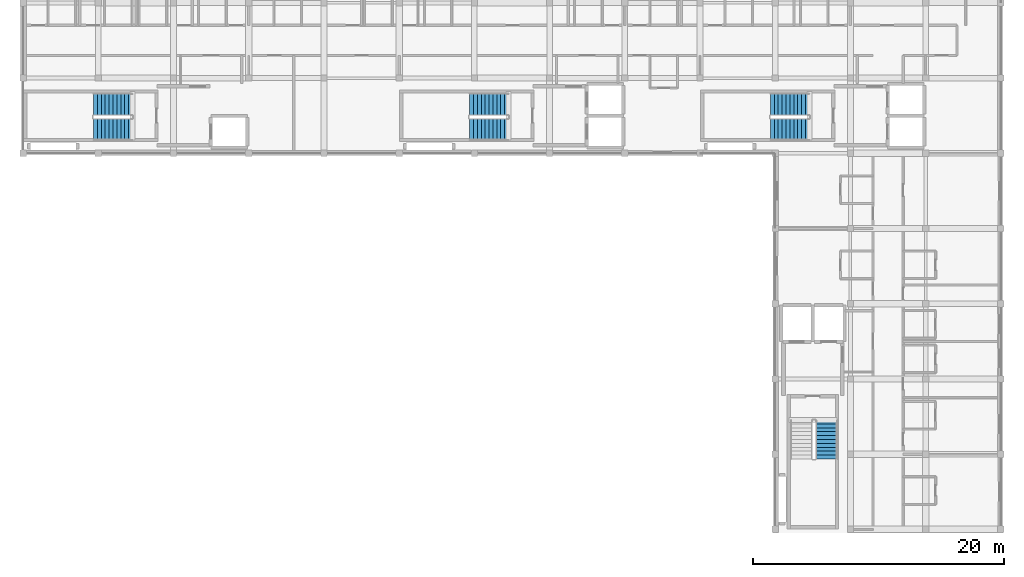
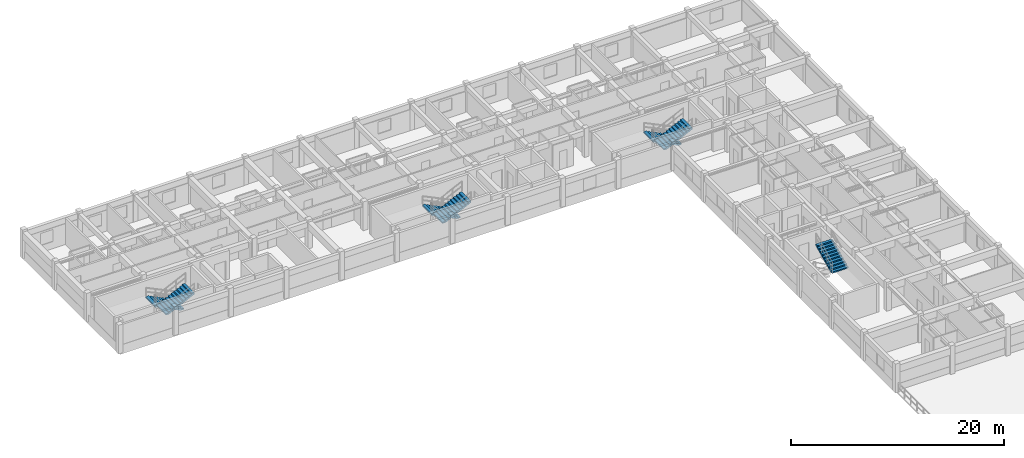
# One storey, part 10 of 14: 7 stair flights, 4 elements without a shape of their own.
"""IFC4 building model written with IfcOpenShell, lengths in metres."""

import ifcopenshell
import ifcopenshell.guid

model = None  # the IFC model being written
_history = None  # IfcOwnerHistory: only IFC2X3 demands one
_inside = {}  # id of a spatial element -> (the spatial element, [elements in it])
_under = {}  # id of a project, library or spatial element -> (it, [spatial elements below it])
_declared = {}  # id of a project -> (the project, [libraries it declares])
_typed = {}  # id of a type object -> (the type object, [elements of that type])
_made_of = {}  # id of a material, layer set ... -> (it, [elements and type objects made of it])


def new_model(schema):
    """Start an empty IFC model of exactly this schema.

    Asked for "IFC4X3", IfcOpenShell would pick the latest addendum, in which some entities
    have other attributes; the version numbers below select the first issue.
    IFC2X3 requires an IfcOwnerHistory on every rooted entity: one is made here for all.
    """
    global model, _history
    if schema == "IFC4X3":
        model = ifcopenshell.file(schema_version=(4, 3, 0, 0))
    else:
        model = ifcopenshell.file(schema=schema)
    _inside.clear()
    _under.clear()
    _declared.clear()
    _typed.clear()
    _made_of.clear()
    _history = None
    if model.schema == "IFC2X3":
        org = make("IfcOrganization", Name="unknown")
        user = make(
            "IfcPersonAndOrganization",
            ThePerson=make("IfcPerson", FamilyName="unknown"),
            TheOrganization=org,
        )
        app = make(
            "IfcApplication",
            ApplicationDeveloper=org,
            Version="unknown",
            ApplicationFullName="unknown",
            ApplicationIdentifier="unknown",
        )
        _history = make(
            "IfcOwnerHistory",
            OwningUser=user,
            OwningApplication=app,
            ChangeAction="ADDED",
            CreationDate=0,
        )
    return model


def make(cls, **values):
    """One entity of the class cls with the attributes given. An attribute that is None is left unset."""
    return model.create_entity(
        cls, **{name: value for name, value in values.items() if value is not None}
    )


def rooted(cls, **values):
    """An entity with a GlobalId (a new one), such as an element, a storey or a relation."""
    return make(cls, GlobalId=ifcopenshell.guid.new(), OwnerHistory=_history, **values)


def si_unit(unit_type, name, prefix=None):
    """IfcSIUnit, for example si_unit("LENGTHUNIT", "METRE", prefix="MILLI")."""
    return make("IfcSIUnit", UnitType=unit_type, Prefix=prefix, Name=name)


def assignment(units):
    """IfcUnitAssignment: the units of a project."""
    return None if units is None else make("IfcUnitAssignment", Units=units)


def point(xyz):
    """IfcCartesianPoint."""
    return None if xyz is None else make("IfcCartesianPoint", Coordinates=xyz)


def direction(xyz):
    """IfcDirection."""
    return None if xyz is None else make("IfcDirection", DirectionRatios=xyz)


def frame(location, z_axis=None, x_axis=None):
    """IfcAxis2Placement3D, a coordinate frame: its origin and axes. An axis left out is left unset."""
    return make(
        "IfcAxis2Placement3D",
        Location=point(location),
        Axis=direction(z_axis),
        RefDirection=direction(x_axis),
    )


def origin():
    """The frame at (0, 0, 0) with its axes left unset."""
    return frame((0.0, 0.0, 0.0))


def place(relative_to, where):
    """IfcLocalPlacement: puts the frame where relative to a parent placement (None: the world)."""
    return make(
        "IfcLocalPlacement", PlacementRelTo=relative_to, RelativePlacement=where
    )


def context(
    kind, dimensions, precision=None, world=None, true_north=None, identifier=None
):
    """IfcGeometricRepresentationContext, for example the 3D "Model" context."""
    return make(
        "IfcGeometricRepresentationContext",
        ContextIdentifier=identifier,
        ContextType=kind,
        CoordinateSpaceDimension=dimensions,
        Precision=precision,
        WorldCoordinateSystem=world,
        TrueNorth=true_north,
    )


def subcontext(parent, identifier, kind, view, scale=None):
    """IfcGeometricRepresentationSubContext, for example "Body" below "Model"."""
    return make(
        "IfcGeometricRepresentationSubContext",
        ContextIdentifier=identifier,
        ContextType=kind,
        ParentContext=parent,
        TargetScale=scale,
        TargetView=view,
    )


def project(units=None, contexts=None):
    """IfcProject with its units and contexts."""
    return rooted(
        "IfcProject",
        Name="project",
        RepresentationContexts=contexts,
        UnitsInContext=assignment(units),
    )


def spatial(cls, under=None, at=None, **own):
    """A site, building, storey or space (cls), placed at a placement, below another one or the project."""
    s = rooted(cls, ObjectPlacement=at, **own)
    if under is not None:
        _under.setdefault(under.id(), (under, []))[1].append(s)
    return s


def polyline(points):
    """IfcPolyline through the points."""
    return make("IfcPolyline", Points=[point(p) for p in points])


def outline(outer, holes=None, kind="AREA"):
    """IfcArbitraryClosedProfileDef: a profile drawn as a closed curve; with holes, ...WithVoids."""
    if holes is None:
        return make("IfcArbitraryClosedProfileDef", ProfileType=kind, OuterCurve=outer)
    return make(
        "IfcArbitraryProfileDefWithVoids",
        ProfileType=kind,
        OuterCurve=outer,
        InnerCurves=holes,
    )


def extrude(swept, where, along, depth):
    """IfcExtrudedAreaSolid: the profile swept, set in the frame where, extruded along a direction by depth."""
    return make(
        "IfcExtrudedAreaSolid",
        SweptArea=swept,
        Position=where,
        ExtrudedDirection=direction(along),
        Depth=depth,
    )


def shape(context_of_items, identifier, shape_type, items):
    """IfcShapeRepresentation: the items that make up one representation, for example the "Body"."""
    return make(
        "IfcShapeRepresentation",
        ContextOfItems=context_of_items,
        RepresentationIdentifier=identifier,
        RepresentationType=shape_type,
        Items=items,
    )


def material(Name=None, Category=None):
    """IfcMaterial."""
    return make("IfcMaterial", Name=Name, Category=Category)


def made_of(thing, what):
    """Note that an element or type object is made of a material, layer set ...; save() writes the relation."""
    if what is not None:
        _made_of.setdefault(what.id(), (what, []))[1].append(thing)
    return thing


def type_object(cls, material=None, **own):
    """A type object (cls), such as IfcWallType, which elements share."""
    return made_of(rooted(cls, **own), material)


def element(
    cls,
    number,
    at=None,
    inside=None,
    cuts=None,
    type_object=None,
    material=None,
    context=None,
    identifier="Body",
    shape_type=None,
    held_by="IfcProductDefinitionShape",
    body=None,
    shapes=None,
    **own,
):
    """One element of the class cls, such as IfcWall. Its Tag is "e" and its number.

    at: its placement. inside: the storey or other place that contains it. cuts: it is an
    opening in that element (IfcRelVoidsElement). A single representation is given by context,
    identifier, shape_type and body (its items); several are given by shapes. held_by: the class
    of the entity that holds the representations. save() writes the other relations.
    """
    e = rooted(cls, Tag="e%d" % number, ObjectPlacement=at, **own)
    if body is not None:
        shapes = [shape(context, identifier, shape_type, body)]
    if shapes is not None:
        e.Representation = make(held_by, Representations=shapes)
    if inside is not None:
        _inside.setdefault(inside.id(), (inside, []))[1].append(e)
    if cuts is not None:
        rooted(
            "IfcRelVoidsElement", RelatingBuildingElement=cuts, RelatedOpeningElement=e
        )
    if type_object is not None:
        _typed.setdefault(type_object.id(), (type_object, []))[1].append(e)
    return made_of(e, material)


def aggregate(whole, parts):
    """IfcRelAggregates: a whole, such as a stair, and the parts it consists of."""
    return rooted("IfcRelAggregates", RelatingObject=whole, RelatedObjects=parts)


def save(model, path):
    """Write the relations noted so far, then the file.

    IfcRelAggregates (storeys below a building ...), IfcRelContainedInSpatialStructure (elements
    in a storey), IfcRelDefinesByType, IfcRelAssociatesMaterial and IfcRelDeclares: one each for
    every whole, place, type object, material and project.
    """
    for whole, parts in _under.values():
        aggregate(whole, parts)
    for where, things in _inside.values():
        rooted(
            "IfcRelContainedInSpatialStructure",
            RelatedElements=things,
            RelatingStructure=where,
        )
    for kind, things in _typed.values():
        rooted("IfcRelDefinesByType", RelatedObjects=things, RelatingType=kind)
    for what, things in _made_of.values():
        rooted("IfcRelAssociatesMaterial", RelatedObjects=things, RelatingMaterial=what)
    for by, libraries in _declared.values():
        rooted("IfcRelDeclares", RelatingContext=by, RelatedDefinitions=libraries)
    model.write(path)


model = new_model("IFC4")

# Units and contexts
model_context = context("Model", 3, precision=1e-05, world=origin(), true_north=direction((0.0, 1.0)))
body_context = subcontext(model_context, "Body", "Model", "MODEL_VIEW")
ifc_project = project(units=[si_unit("LENGTHUNIT", "METRE"), si_unit("AREAUNIT", "SQUARE_METRE"), si_unit("VOLUMEUNIT", "CUBIC_METRE"), si_unit("PLANEANGLEUNIT", "RADIAN"), si_unit("MASSUNIT", "GRAM", prefix="KILO"), si_unit("THERMODYNAMICTEMPERATUREUNIT", "KELVIN"), si_unit("POWERUNIT", "WATT")], contexts=[model_context])

# Site, building, storey
site_placement = place(None, origin())
site = spatial("IfcSite", under=ifc_project, at=site_placement, CompositionType="ELEMENT")
building_placement = place(site_placement, origin())
building = spatial("IfcBuilding", under=site, at=building_placement, Name="Phaisarnlok Congress Hotel", CompositionType="ELEMENT")
storey_placement = place(building_placement, frame((0.0, 0.0, 44.699951171875)))
storey = spatial("IfcBuildingStorey", under=building, at=storey_placement, Name="L11", CompositionType="ELEMENT", Elevation=44.699951171875)

# Stair, stair flights
ifc_material = material(Name="Concrete C40/50", Category="concrete")
stair_type = type_object("IfcStairType", Name="STR-DOG-05", PredefinedType="HALF_TURN_STAIR", material=ifc_material)
stair_1_placement = place(storey_placement, origin())
stair_1 = element("IfcStair", 1, at=stair_1_placement, inside=storey, type_object=stair_type, Name="L11 ST-05", PredefinedType="HALF_TURN_STAIR")
stair_flight_type = type_object("IfcStairFlightType", Name="SFL-RC-05", PredefinedType="STRAIGHT", material=ifc_material)
stair_flight_1_placement = place(storey_placement, frame((164.719970703125, 111.909912109375, 0.0), z_axis=(0.0, 0.0, 1.0), x_axis=(-1.0, 0.0, 0.0)))
stair_flight_1 = element("IfcStairFlight", 2, at=stair_flight_1_placement, type_object=stair_flight_type, Name="ST-05 flight 1", NumberOfRisers=11, NumberOfTreads=10, PredefinedType="STRAIGHT", RiserHeight=0.15, TreadLength=0.31, context=body_context, shape_type="SweptSolid", body=[
    extrude(outline(polyline([(0.0, 0.0), (0.0, 0.14990234375), (0.31005859375, 0.14990234375), (0.31005859375, 0.300048828125), (0.6201171875, 0.300048828125), (0.6201171875, 0.449951171875), (0.929931640625, 0.449951171875), (0.929931640625, 0.60009765625), (1.239990234375, 0.60009765625), (1.239990234375, 0.75), (1.550048828125, 0.75), (1.550048828125, 0.89990234375), (1.860107421875, 0.89990234375), (1.860107421875, 1.050048828125), (2.169921875, 1.050048828125), (2.169921875, 1.199951171875), (2.47998046875, 1.199951171875), (2.47998046875, 1.35009765625), (2.7900390625, 1.35009765625), (2.7900390625, 1.5), (3.10009765625, 1.5), (3.10009765625, 1.64990234375), (3.10009765625, 1.33349609375), (0.34423828125, 0.0), (0.0, 0.0)])), frame((0.0, 0.89013671875, 0.0), z_axis=(0.0, -1.0, 0.0), x_axis=(1.0, 0.0, 0.0)), (0.0, 0.0, 1.0), 1.780029296875),
])
stair_flight_2_placement = place(storey_placement, frame((161.6201171875, 109.889892578125, 1.650146484375), z_axis=(0.0, 0.0, 1.0), x_axis=(1.0, 0.0, 0.0)))
stair_flight_2 = element("IfcStairFlight", 3, at=stair_flight_2_placement, type_object=stair_flight_type, Name="ST-05 flight 2", NumberOfRisers=11, NumberOfTreads=10, PredefinedType="STRAIGHT", RiserHeight=0.15, TreadLength=0.31, context=body_context, shape_type="SweptSolid", body=[
    extrude(outline(polyline([(0.0, 0.0), (0.0, 0.14990234375), (0.31005859375, 0.14990234375), (0.31005859375, 0.300048828125), (0.6201171875, 0.300048828125), (0.6201171875, 0.449951171875), (0.929931640625, 0.449951171875), (0.929931640625, 0.60009765625), (1.239990234375, 0.60009765625), (1.239990234375, 0.75), (1.550048828125, 0.75), (1.550048828125, 0.89990234375), (1.860107421875, 0.89990234375), (1.860107421875, 1.050048828125), (2.169921875, 1.050048828125), (2.169921875, 1.199951171875), (2.47998046875, 1.199951171875), (2.47998046875, 1.35009765625), (2.7900390625, 1.35009765625), (2.7900390625, 1.5), (3.10009765625, 1.5), (3.10009765625, 1.64990234375), (3.10009765625, 1.33349609375), (0.34423828125, 0.0), (0.0, 0.0)])), frame((0.0, 0.89013671875, 0.0), z_axis=(0.0, -1.0, 0.0), x_axis=(1.0, 0.0, 0.0)), (0.0, 0.0, 1.0), 1.780029296875),
])
aggregate(stair_1, [stair_flight_1, stair_flight_2])

stair_2_placement = place(storey_placement, origin())
stair_2 = element("IfcStair", 4, at=stair_2_placement, inside=storey, type_object=stair_type, Name="L11 ST-06", PredefinedType="HALF_TURN_STAIR")
stair_flight_3_placement = place(storey_placement, frame((140.719970703125, 111.909912109375, 0.0), z_axis=(0.0, 0.0, 1.0), x_axis=(-1.0, 0.0, 0.0)))
stair_flight_3 = element("IfcStairFlight", 5, at=stair_flight_3_placement, type_object=stair_flight_type, Name="ST-06 flight 1", NumberOfRisers=11, NumberOfTreads=10, PredefinedType="STRAIGHT", RiserHeight=0.15, TreadLength=0.31, context=body_context, shape_type="SweptSolid", body=[
    extrude(outline(polyline([(0.0, 0.0), (0.0, 0.14990234375), (0.31005859375, 0.14990234375), (0.31005859375, 0.300048828125), (0.6201171875, 0.300048828125), (0.6201171875, 0.449951171875), (0.929931640625, 0.449951171875), (0.929931640625, 0.60009765625), (1.239990234375, 0.60009765625), (1.239990234375, 0.75), (1.550048828125, 0.75), (1.550048828125, 0.89990234375), (1.860107421875, 0.89990234375), (1.860107421875, 1.050048828125), (2.169921875, 1.050048828125), (2.169921875, 1.199951171875), (2.47998046875, 1.199951171875), (2.47998046875, 1.35009765625), (2.7900390625, 1.35009765625), (2.7900390625, 1.5), (3.10009765625, 1.5), (3.10009765625, 1.64990234375), (3.10009765625, 1.33349609375), (0.34423828125, 0.0), (0.0, 0.0)])), frame((0.0, 0.89013671875, 0.0), z_axis=(0.0, -1.0, 0.0), x_axis=(1.0, 0.0, 0.0)), (0.0, 0.0, 1.0), 1.780029296875),
])
stair_flight_4_placement = place(storey_placement, frame((137.6201171875, 109.889892578125, 1.650146484375), z_axis=(0.0, 0.0, 1.0), x_axis=(1.0, 0.0, 0.0)))
stair_flight_4 = element("IfcStairFlight", 6, at=stair_flight_4_placement, type_object=stair_flight_type, Name="ST-06 flight 2", NumberOfRisers=11, NumberOfTreads=10, PredefinedType="STRAIGHT", RiserHeight=0.15, TreadLength=0.31, context=body_context, shape_type="SweptSolid", body=[
    extrude(outline(polyline([(0.0, 0.0), (0.0, 0.14990234375), (0.31005859375, 0.14990234375), (0.31005859375, 0.300048828125), (0.6201171875, 0.300048828125), (0.6201171875, 0.449951171875), (0.929931640625, 0.449951171875), (0.929931640625, 0.60009765625), (1.239990234375, 0.60009765625), (1.239990234375, 0.75), (1.550048828125, 0.75), (1.550048828125, 0.89990234375), (1.860107421875, 0.89990234375), (1.860107421875, 1.050048828125), (2.169921875, 1.050048828125), (2.169921875, 1.199951171875), (2.47998046875, 1.199951171875), (2.47998046875, 1.35009765625), (2.7900390625, 1.35009765625), (2.7900390625, 1.5), (3.10009765625, 1.5), (3.10009765625, 1.64990234375), (3.10009765625, 1.33349609375), (0.34423828125, 0.0), (0.0, 0.0)])), frame((0.0, 0.89013671875, 0.0), z_axis=(0.0, -1.0, 0.0), x_axis=(1.0, 0.0, 0.0)), (0.0, 0.0, 1.0), 1.780029296875),
])
aggregate(stair_2, [stair_flight_3, stair_flight_4])

stair_3_placement = place(storey_placement, origin())
stair_3 = element("IfcStair", 7, at=stair_3_placement, inside=storey, type_object=stair_type, Name="L11 ST-07", PredefinedType="HALF_TURN_STAIR")
stair_flight_5_placement = place(storey_placement, frame((110.719970703125, 111.909912109375, 0.0), z_axis=(0.0, 0.0, 1.0), x_axis=(-1.0, 0.0, 0.0)))
stair_flight_5 = element("IfcStairFlight", 8, at=stair_flight_5_placement, type_object=stair_flight_type, Name="ST-07 flight 1", NumberOfRisers=11, NumberOfTreads=10, PredefinedType="STRAIGHT", RiserHeight=0.15, TreadLength=0.31, context=body_context, shape_type="SweptSolid", body=[
    extrude(outline(polyline([(0.0, 0.0), (0.0, 0.14990234375), (0.31005859375, 0.14990234375), (0.31005859375, 0.300048828125), (0.6201171875, 0.300048828125), (0.6201171875, 0.449951171875), (0.929931640625, 0.449951171875), (0.929931640625, 0.60009765625), (1.239990234375, 0.60009765625), (1.239990234375, 0.75), (1.550048828125, 0.75), (1.550048828125, 0.89990234375), (1.860107421875, 0.89990234375), (1.860107421875, 1.050048828125), (2.169921875, 1.050048828125), (2.169921875, 1.199951171875), (2.47998046875, 1.199951171875), (2.47998046875, 1.35009765625), (2.7900390625, 1.35009765625), (2.7900390625, 1.5), (3.10009765625, 1.5), (3.10009765625, 1.64990234375), (3.10009765625, 1.33349609375), (0.34423828125, 0.0), (0.0, 0.0)])), frame((0.0, 0.89013671875, 0.0), z_axis=(0.0, -1.0, 0.0), x_axis=(1.0, 0.0, 0.0)), (0.0, 0.0, 1.0), 1.780029296875),
])
stair_flight_6_placement = place(storey_placement, frame((107.6201171875, 109.889892578125, 1.650146484375), z_axis=(0.0, 0.0, 1.0), x_axis=(1.0, 0.0, 0.0)))
stair_flight_6 = element("IfcStairFlight", 9, at=stair_flight_6_placement, type_object=stair_flight_type, Name="ST-07 flight 2", NumberOfRisers=11, NumberOfTreads=10, PredefinedType="STRAIGHT", RiserHeight=0.15, TreadLength=0.31, context=body_context, shape_type="SweptSolid", body=[
    extrude(outline(polyline([(0.0, 0.0), (0.0, 0.14990234375), (0.31005859375, 0.14990234375), (0.31005859375, 0.300048828125), (0.6201171875, 0.300048828125), (0.6201171875, 0.449951171875), (0.929931640625, 0.449951171875), (0.929931640625, 0.60009765625), (1.239990234375, 0.60009765625), (1.239990234375, 0.75), (1.550048828125, 0.75), (1.550048828125, 0.89990234375), (1.860107421875, 0.89990234375), (1.860107421875, 1.050048828125), (2.169921875, 1.050048828125), (2.169921875, 1.199951171875), (2.47998046875, 1.199951171875), (2.47998046875, 1.35009765625), (2.7900390625, 1.35009765625), (2.7900390625, 1.5), (3.10009765625, 1.5), (3.10009765625, 1.64990234375), (3.10009765625, 1.33349609375), (0.34423828125, 0.0), (0.0, 0.0)])), frame((0.0, 0.89013671875, 0.0), z_axis=(0.0, -1.0, 0.0), x_axis=(1.0, 0.0, 0.0)), (0.0, 0.0, 1.0), 1.780029296875),
])
aggregate(stair_3, [stair_flight_5, stair_flight_6])

# Stair, stair flight
stair_4_placement = place(storey_placement, origin())
stair_4 = element("IfcStair", 10, at=stair_4_placement, inside=storey, type_object=stair_type, Name="L11 ST-09", PredefinedType="HALF_TURN_STAIR")
stair_flight_7_placement = place(storey_placement, frame((166.110107421875, 83.6201171875, 1.650146484375), z_axis=(0.0, 0.0, 1.0), x_axis=(0.0, 1.0, 0.0)))
stair_flight_7 = element("IfcStairFlight", 11, at=stair_flight_7_placement, type_object=stair_flight_type, Name="ST-09 flight 2", NumberOfRisers=11, NumberOfTreads=10, PredefinedType="STRAIGHT", RiserHeight=0.15, TreadLength=0.31, context=body_context, shape_type="SweptSolid", body=[
    extrude(outline(polyline([(0.0, 0.0), (0.0, 0.14990234375), (0.31005859375, 0.14990234375), (0.31005859375, 0.300048828125), (0.6201171875, 0.300048828125), (0.6201171875, 0.449951171875), (0.929931640625, 0.449951171875), (0.929931640625, 0.60009765625), (1.239990234375, 0.60009765625), (1.239990234375, 0.75), (1.550048828125, 0.75), (1.550048828125, 0.89990234375), (1.860107421875, 0.89990234375), (1.860107421875, 1.050048828125), (2.169921875, 1.050048828125), (2.169921875, 1.199951171875), (2.47998046875, 1.199951171875), (2.47998046875, 1.35009765625), (2.7900390625, 1.35009765625), (2.7900390625, 1.5), (3.10009765625, 1.5), (3.10009765625, 1.64990234375), (3.10009765625, 1.33349609375), (0.34423828125, 0.0), (0.0, 0.0)])), frame((0.0, 0.89013671875, 0.0), z_axis=(0.0, -1.0, 0.0), x_axis=(1.0, 0.0, 0.0)), (0.0, 0.0, 1.0), 1.780029296875),
])
aggregate(stair_4, [stair_flight_7])

save(model, "model.ifc")
